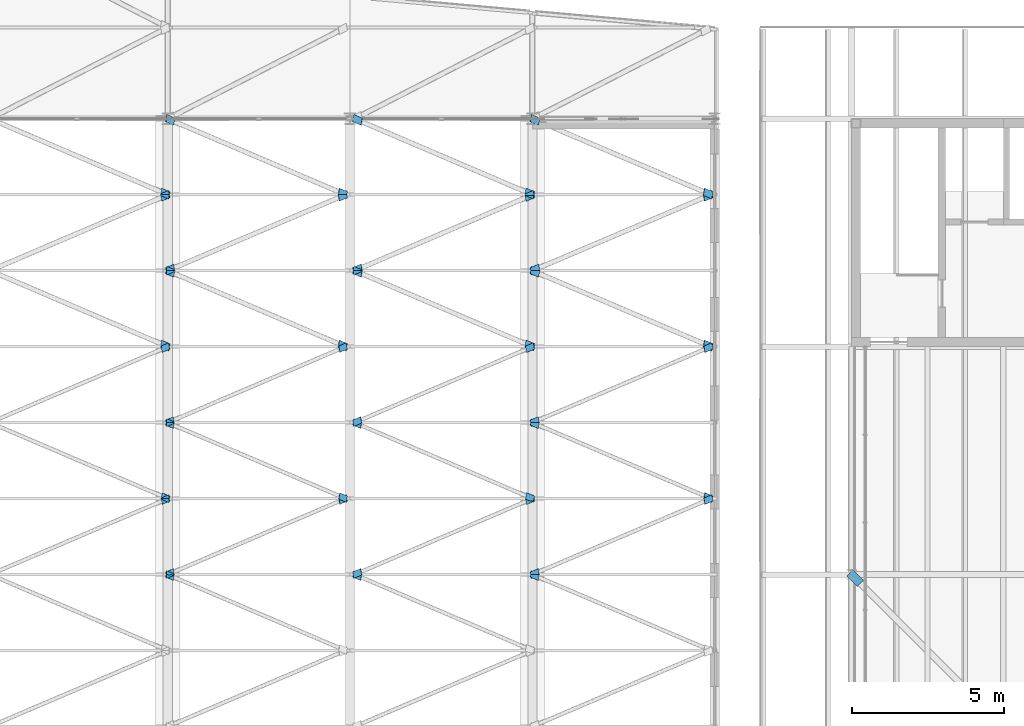
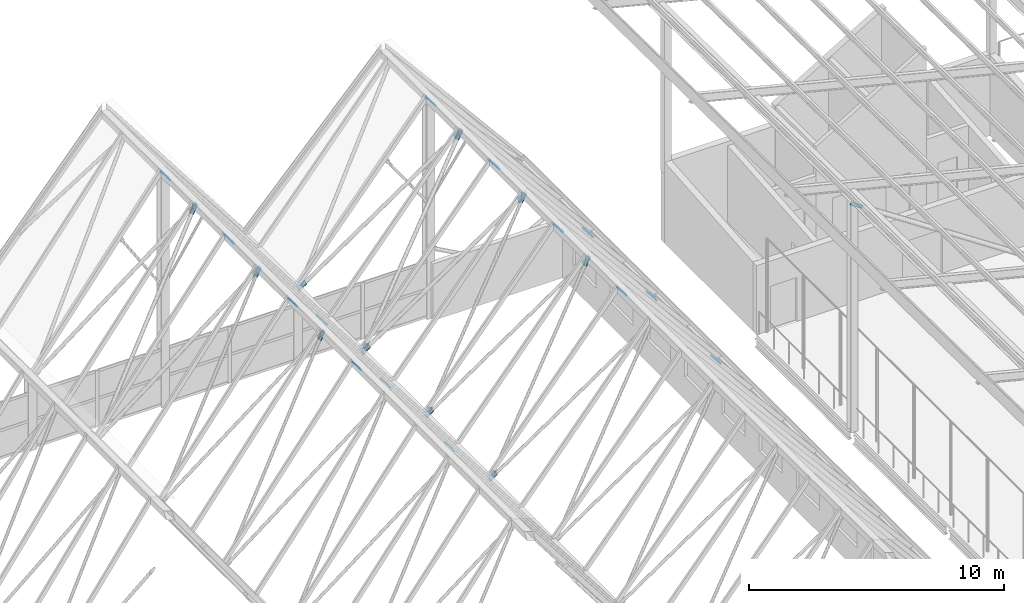
# One storey, part 432 of 483: 46 discrete accessories.
"""IFC4 building model written with IfcOpenShell, lengths in metres."""

from ifc_helpers import new_model, si_unit, direction, frame, origin, place, context, subcontext, project, spatial, polyline, outline, extrude, material, layer, layer_set, type_object, element, save


model = new_model("IFC4")

# Units and contexts
model_context = context("Model", 3, precision=1e-05, world=origin(), true_north=direction((0.0, 1.0)))
body_context = subcontext(model_context, "Body", "Model", "MODEL_VIEW")
ifc_project = project(units=[si_unit("LENGTHUNIT", "METRE"), si_unit("AREAUNIT", "SQUARE_METRE"), si_unit("VOLUMEUNIT", "CUBIC_METRE"), si_unit("PLANEANGLEUNIT", "RADIAN"), si_unit("MASSUNIT", "GRAM", prefix="KILO")], contexts=[model_context])

# Site, building, storey
site_placement = place(None, origin())
site = spatial("IfcSite", under=ifc_project, at=site_placement, CompositionType="ELEMENT")
building_placement = place(site_placement, origin())
building = spatial("IfcBuilding", under=site, at=building_placement, Name="Parallax Yard Mobility Hub", CompositionType="ELEMENT")
storey_placement = place(building_placement, frame((0.0, 0.0, 13.199951171875)))
storey = spatial("IfcBuildingStorey", under=building, at=storey_placement, Name="L04", CompositionType="ELEMENT", Elevation=13.199951171875)

# Discrete accessories
ifc_material = material(Name="Steel ASTM A36", Category="steel")
ifc_layer = layer(ifc_material, 0.011962890625)
ifc_layer_set = layer_set([ifc_layer], Name="Gusset plate PL12")
discrete_accessory_type = type_object("IfcDiscreteAccessoryType", Name="Gusset plate PL12", PredefinedType="BRACKET", material=ifc_layer_set)
discrete_accessory_1_placement = place(storey_placement, frame((75.216796875, 37.520751953125, 10.7568359375), z_axis=(0.793814652536, -8.9168627e-05, 0.608159756534), x_axis=(-0.588543803206, 0.251817654929, 0.768247395292)))
element("IfcDiscreteAccessory", 1, at=discrete_accessory_1_placement, inside=storey, type_object=discrete_accessory_type, Name="Gusset plate PL12 at end 2 of Plate diagonal plate F12-F13 bay 12", PredefinedType="BRACKET", context=body_context, shape_type="SweptSolid", body=[
    extrude(outline(polyline([(0.0, 0.0), (0.41979936098883397, -2.7755575615628914e-17), (0.4198409621977497, 0.21973808712240064), (4.1601208915741095e-05, 0.21973808712240064), (0.0, 0.0)])), origin(), (0.0, 0.0, -1.0), 0.011962890625),
])
discrete_accessory_2_placement = place(storey_placement, frame((81.381591796875, 37.51611328125, 3.6806640625), z_axis=(-0.766426841757, 0.000485063303, 0.642331426094), x_axis=(-0.619317240789, 0.264724925871, -0.739166333706)))
element("IfcDiscreteAccessory", 2, at=discrete_accessory_2_placement, inside=storey, type_object=discrete_accessory_type, Name="Gusset plate PL12 at end 2 of Plate diagonal plate F13-F14 bay 12", PredefinedType="BRACKET", context=body_context, shape_type="SweptSolid", body=[
    extrude(outline(polyline([(0.0, 0.0), (0.4196201041303643, 0.0), (0.41967912299094895, 0.2197701569995703), (2.9758828134156257e-05, 0.21976229757594196), (0.0, 0.0)])), origin(), (0.0, 0.0, -1.0), 0.011962890625),
])
discrete_accessory_3_placement = place(storey_placement, frame((87.22900390625, 37.516357421875, 10.112060546875), z_axis=(0.766560723471, 0.000412226513, 0.642171696123), x_axis=(-0.619460290951, 0.264070357105, 0.73928059249)))
element("IfcDiscreteAccessory", 3, at=discrete_accessory_3_placement, inside=storey, type_object=discrete_accessory_type, Name="Gusset plate PL12 at end 2 of Plate diagonal plate F14-F15 bay 12", PredefinedType="BRACKET", context=body_context, shape_type="SweptSolid", body=[
    extrude(outline(polyline([(0.0, 0.0), (0.41973603150491046, 0.0), (0.41954801679147935, 0.21991479661479002), (-0.00012354441140352557, 0.21967932216861122), (0.0, 0.0)])), origin(), (0.0, 0.0, -1.0), 0.011962890625),
])
for number, where, z_axis, x_axis, name in (
    (4, (74.81689453125, 39.80810546875, 10.80078125), (-0.793814652536, -8.9168627e-05, 0.608159756534), (0.588543803206, 0.251817654929, 0.768247395292), "Gusset plate PL12 at end 2 of Plate diagonal plate F11-F12 bay 13"),
    (5, (75.18310546875, 37.69189453125, 10.80078125), (0.793814652536, 8.9168627e-05, 0.608159756534), (-0.588543803206, -0.251817654929, 0.768247395292), "Gusset plate PL12 at end 1 of Plate diagonal plate F12-F13 bay 13"),
):
    element("IfcDiscreteAccessory", number, at=place(storey_placement, frame(where, z_axis=z_axis, x_axis=x_axis)), inside=storey, type_object=discrete_accessory_type, Name=name, PredefinedType="BRACKET", context=body_context, shape_type="SweptSolid", body=[
        extrude(outline(polyline([(0.0, 0.0), (0.41979936098883397, 2.7755575615628914e-17), (0.4197577597799182, 0.2197380871224007), (-4.1601208915741095e-05, 0.21973808712240064), (0.0, 0.0)])), origin(), (0.0, 0.0, -1.0), 0.011962890625),
    ])
discrete_accessory_4_placement = place(storey_placement, frame((80.664306640625, 39.80810546875, 3.6484375), z_axis=(0.793746279753, -0.000395732461, 0.60824886911), x_axis=(0.588740604162, 0.251731563359, -0.768124808231)))
element("IfcDiscreteAccessory", 6, at=discrete_accessory_4_placement, inside=storey, type_object=discrete_accessory_type, Name="Gusset plate PL12 at end 2 of Plate diagonal plate F12-F13 bay 13", PredefinedType="BRACKET", context=body_context, shape_type="SweptSolid", body=[
    extrude(outline(polyline([(0.0, 0.0), (0.4199430836483414, 0.0), (0.4198819319954805, 0.21973806118904854), (8.258384620210557e-05, 0.21970075370203399), (0.0, 0.0)])), origin(), (0.0, 0.0, -1.0), 0.011962890625),
])
discrete_accessory_5_placement = place(storey_placement, frame((81.343994140625, 37.69580078125, 3.63623046875), z_axis=(-0.766426841757, -0.000485063303, 0.642331426094), x_axis=(-0.619320432019, -0.264706865438, -0.739170127828)))
element("IfcDiscreteAccessory", 7, at=discrete_accessory_5_placement, inside=storey, type_object=discrete_accessory_type, Name="Gusset plate PL12 at end 1 of Plate diagonal plate F13-F14 bay 13", PredefinedType="BRACKET", context=body_context, shape_type="SweptSolid", body=[
    extrude(outline(polyline([(0.0, 0.0), (0.41964936423641264, 0.0), (0.4195862293997118, 0.2197701558556896), (-3.38746570599166e-05, 0.21976229698006056), (0.0, 0.0)])), origin(), (0.0, 0.0, -1.0), 0.011962890625),
])
discrete_accessory_6_placement = place(storey_placement, frame((86.808349609375, 39.80419921875, 10.15673828125), z_axis=(-0.766747811527, 0.000630720842, 0.641948125403), x_axis=(0.619177335166, 0.264706510349, 0.739290126402)))
element("IfcDiscreteAccessory", 8, at=discrete_accessory_6_placement, inside=storey, type_object=discrete_accessory_type, Name="Gusset plate PL12 at end 2 of Plate diagonal plate F13-F14 bay 13", PredefinedType="BRACKET", context=body_context, shape_type="SweptSolid", body=[
    extrude(outline(polyline([(0.0, 0.0), (0.41964938903380067, 0.0), (0.41973732919648377, 0.21972883072808136), (-6.32261789101779e-05, 0.21977020317984158), (0.0, 0.0)])), origin(), (0.0, 0.0, -1.0), 0.011962890625),
])
discrete_accessory_7_placement = place(storey_placement, frame((87.19189453125, 37.695556640625, 10.156494140625), z_axis=(0.766560723471, -0.000412226513, 0.642171696123), x_axis=(-0.619555171614, -0.263529140311, 0.739394199013)))
element("IfcDiscreteAccessory", 9, at=discrete_accessory_7_placement, inside=storey, type_object=discrete_accessory_type, Name="Gusset plate PL12 at end 1 of Plate diagonal plate F14-F15 bay 13", PredefinedType="BRACKET", context=body_context, shape_type="SweptSolid", body=[
    extrude(outline(polyline([(0.0, 0.0), (0.41967162726431706, 0.0), (0.41973624948705845, 0.21991486749109354), (2.840537202744575e-07, 0.21967935690820234), (0.0, 0.0)])), origin(), (0.0, 0.0, -1.0), 0.011962890625),
])
discrete_accessory_8_placement = place(storey_placement, frame((92.68115234375, 39.804443359375, 3.60595703125), z_axis=(0.766350564195, -6.0395944e-05, 0.642422609433), x_axis=(0.619726092025, 0.263529133346, -0.739250949774)))
element("IfcDiscreteAccessory", 10, at=discrete_accessory_8_placement, inside=storey, type_object=discrete_accessory_type, Name="Gusset plate PL12 at end 2 of Plate diagonal plate F14-F15 bay 13", PredefinedType="BRACKET", context=body_context, shape_type="SweptSolid", body=[
    extrude(outline(polyline([(0.0, 0.0), (0.41967161683953713, 0.0), (0.4197362599134438, 0.21991484759097396), (-0.0001509954088498508, 0.2197206583795808), (0.0, 0.0)])), origin(), (0.0, 0.0, -1.0), 0.011962890625),
])
discrete_accessory_9_placement = place(storey_placement, frame((74.783203125, 39.979248046875, 10.7568359375), z_axis=(-0.793814652536, 8.9168627e-05, 0.608159756534), x_axis=(0.588543803206, -0.251817654929, 0.768247395292)))
element("IfcDiscreteAccessory", 11, at=discrete_accessory_9_placement, inside=storey, type_object=discrete_accessory_type, Name="Gusset plate PL12 at end 1 of Plate diagonal plate F11-F12 bay 14", PredefinedType="BRACKET", context=body_context, shape_type="SweptSolid", body=[
    extrude(outline(polyline([(0.0, 0.0), (0.41979936098883397, -2.7755575615628914e-17), (0.4198409621977497, 0.21973808712240064), (4.1601208915741095e-05, 0.21973808712240064), (0.0, 0.0)])), origin(), (0.0, 0.0, -1.0), 0.011962890625),
])
discrete_accessory_10_placement = place(storey_placement, frame((80.630859375, 39.979248046875, 3.6923828125), z_axis=(0.793746279753, 0.000395732461, 0.60824886911), x_axis=(0.588727021511, -0.251817570299, -0.768107027328)))
element("IfcDiscreteAccessory", 12, at=discrete_accessory_10_placement, inside=storey, type_object=discrete_accessory_type, Name="Gusset plate PL12 at end 1 of Plate diagonal plate F12-F13 bay 14", PredefinedType="BRACKET", context=body_context, shape_type="SweptSolid", body=[
    extrude(outline(polyline([(0.0, 0.0), (0.41979934980703304, -4.163336342344337e-17), (0.41984097338065895, 0.2197380657558558), (-0.00010210860936022553, 0.21970074549524257), (0.0, 0.0)])), origin(), (0.0, 0.0, -1.0), 0.011962890625),
])
discrete_accessory_11_placement = place(storey_placement, frame((75.216796875, 42.520751953125, 10.7568359375), z_axis=(0.793814652536, -8.9168627e-05, 0.608159756534), x_axis=(-0.588543803206, 0.251817654929, 0.768247395292)))
element("IfcDiscreteAccessory", 13, at=discrete_accessory_11_placement, inside=storey, type_object=discrete_accessory_type, Name="Gusset plate PL12 at end 2 of Plate diagonal plate F12-F13 bay 14", PredefinedType="BRACKET", context=body_context, shape_type="SweptSolid", body=[
    extrude(outline(polyline([(0.0, 0.0), (0.41979936098883397, -2.7755575615628914e-17), (0.4198409621977497, 0.21973808712240064), (4.1601208915741095e-05, 0.21973808712240064), (0.0, 0.0)])), origin(), (0.0, 0.0, -1.0), 0.011962890625),
])
discrete_accessory_12_placement = place(storey_placement, frame((86.77099609375, 39.98388671875, 10.112060546875), z_axis=(-0.766747811527, -0.000630720842, 0.641948125403), x_axis=(0.619194033043, -0.264611471916, 0.739310163851)))
element("IfcDiscreteAccessory", 14, at=discrete_accessory_12_placement, inside=storey, type_object=discrete_accessory_type, Name="Gusset plate PL12 at end 1 of Plate diagonal plate F13-F14 bay 14", PredefinedType="BRACKET", context=body_context, shape_type="SweptSolid", body=[
    extrude(outline(polyline([(0.0, 0.0), (0.41980055741407596, 1.3877787807814457e-17), (0.4197342721074152, 0.21972883832774476), (8.488511156258538e-05, 0.21977019588146246), (0.0, 0.0)])), origin(), (0.0, 0.0, -1.0), 0.011962890625),
])
discrete_accessory_13_placement = place(storey_placement, frame((81.381591796875, 42.51611328125, 3.6806640625), z_axis=(-0.766426841757, 0.000485063303, 0.642331426094), x_axis=(-0.619317240789, 0.264724925871, -0.739166333706)))
element("IfcDiscreteAccessory", 15, at=discrete_accessory_13_placement, inside=storey, type_object=discrete_accessory_type, Name="Gusset plate PL12 at end 2 of Plate diagonal plate F13-F14 bay 14", PredefinedType="BRACKET", context=body_context, shape_type="SweptSolid", body=[
    extrude(outline(polyline([(0.0, 0.0), (0.4196201041303643, 0.0), (0.41967912299094895, 0.2197701569995703), (2.9758828134156257e-05, 0.21976229757594196), (0.0, 0.0)])), origin(), (0.0, 0.0, -1.0), 0.011962890625),
])
discrete_accessory_14_placement = place(storey_placement, frame((92.643798828125, 39.983642578125, 3.650390625), z_axis=(0.766350564195, 6.0395944e-05, 0.642422609433), x_axis=(0.619647749995, -0.263975236545, -0.739157453062)))
element("IfcDiscreteAccessory", 16, at=discrete_accessory_14_placement, inside=storey, type_object=discrete_accessory_type, Name="Gusset plate PL12 at end 1 of Plate diagonal plate F14-F15 bay 14", PredefinedType="BRACKET", context=body_context, shape_type="SweptSolid", body=[
    extrude(outline(polyline([(0.0, 0.0), (0.4198873002265475, 0.0), (0.41972095108079355, 0.2199147941764037), (4.937912244436238e-05, 0.21972070471412608), (0.0, 0.0)])), origin(), (0.0, 0.0, -1.0), 0.011962890625),
])
discrete_accessory_15_placement = place(storey_placement, frame((87.22900390625, 42.516357421875, 10.112060546875), z_axis=(0.766560723471, 0.000412226513, 0.642171696123), x_axis=(-0.619460290951, 0.264070357105, 0.73928059249)))
element("IfcDiscreteAccessory", 17, at=discrete_accessory_15_placement, inside=storey, type_object=discrete_accessory_type, Name="Gusset plate PL12 at end 2 of Plate diagonal plate F14-F15 bay 14", PredefinedType="BRACKET", context=body_context, shape_type="SweptSolid", body=[
    extrude(outline(polyline([(0.0, 0.0), (0.41973603150491046, 0.0), (0.41954801679147935, 0.21991479661479002), (-0.00012354441140352557, 0.21967932216861122), (0.0, 0.0)])), origin(), (0.0, 0.0, -1.0), 0.011962890625),
])
for number, where, z_axis, x_axis, name in (
    (18, (74.81689453125, 44.80810546875, 10.80078125), (-0.793814652536, -8.9168627e-05, 0.608159756534), (0.588543803206, 0.251817654929, 0.768247395292), "Gusset plate PL12 at end 2 of Plate diagonal plate F11-F12 bay 15"),
    (19, (75.18310546875, 42.69189453125, 10.80078125), (0.793814652536, 8.9168627e-05, 0.608159756534), (-0.588543803206, -0.251817654929, 0.768247395292), "Gusset plate PL12 at end 1 of Plate diagonal plate F12-F13 bay 15"),
):
    element("IfcDiscreteAccessory", number, at=place(storey_placement, frame(where, z_axis=z_axis, x_axis=x_axis)), inside=storey, type_object=discrete_accessory_type, Name=name, PredefinedType="BRACKET", context=body_context, shape_type="SweptSolid", body=[
        extrude(outline(polyline([(0.0, 0.0), (0.41979936098883397, 2.7755575615628914e-17), (0.4197577597799182, 0.2197380871224007), (-4.1601208915741095e-05, 0.21973808712240064), (0.0, 0.0)])), origin(), (0.0, 0.0, -1.0), 0.011962890625),
    ])
discrete_accessory_16_placement = place(storey_placement, frame((80.664306640625, 44.80810546875, 3.6484375), z_axis=(0.793746279753, -0.000395732461, 0.60824886911), x_axis=(0.588740604162, 0.251731563359, -0.768124808231)))
element("IfcDiscreteAccessory", 20, at=discrete_accessory_16_placement, inside=storey, type_object=discrete_accessory_type, Name="Gusset plate PL12 at end 2 of Plate diagonal plate F12-F13 bay 15", PredefinedType="BRACKET", context=body_context, shape_type="SweptSolid", body=[
    extrude(outline(polyline([(0.0, 0.0), (0.4199430836483414, 0.0), (0.4198819319954805, 0.21973806118904854), (8.258384620210557e-05, 0.21970075370203399), (0.0, 0.0)])), origin(), (0.0, 0.0, -1.0), 0.011962890625),
])
discrete_accessory_17_placement = place(storey_placement, frame((81.343994140625, 42.69580078125, 3.63623046875), z_axis=(-0.766426841757, -0.000485063303, 0.642331426094), x_axis=(-0.619320432019, -0.264706865438, -0.739170127828)))
element("IfcDiscreteAccessory", 21, at=discrete_accessory_17_placement, inside=storey, type_object=discrete_accessory_type, Name="Gusset plate PL12 at end 1 of Plate diagonal plate F13-F14 bay 15", PredefinedType="BRACKET", context=body_context, shape_type="SweptSolid", body=[
    extrude(outline(polyline([(0.0, 0.0), (0.41964936423641264, 0.0), (0.4195862293997118, 0.2197701558556896), (-3.38746570599166e-05, 0.21976229698006056), (0.0, 0.0)])), origin(), (0.0, 0.0, -1.0), 0.011962890625),
])
discrete_accessory_18_placement = place(storey_placement, frame((86.808349609375, 44.80419921875, 10.15673828125), z_axis=(-0.766747811527, 0.000630720842, 0.641948125403), x_axis=(0.619177335166, 0.264706510349, 0.739290126402)))
element("IfcDiscreteAccessory", 22, at=discrete_accessory_18_placement, inside=storey, type_object=discrete_accessory_type, Name="Gusset plate PL12 at end 2 of Plate diagonal plate F13-F14 bay 15", PredefinedType="BRACKET", context=body_context, shape_type="SweptSolid", body=[
    extrude(outline(polyline([(0.0, 0.0), (0.41964938903380067, 0.0), (0.41973732919648377, 0.21972883072808136), (-6.32261789101779e-05, 0.21977020317984158), (0.0, 0.0)])), origin(), (0.0, 0.0, -1.0), 0.011962890625),
])
discrete_accessory_19_placement = place(storey_placement, frame((87.19189453125, 42.695556640625, 10.156494140625), z_axis=(0.766560723471, -0.000412226513, 0.642171696123), x_axis=(-0.619555171614, -0.263529140311, 0.739394199013)))
element("IfcDiscreteAccessory", 23, at=discrete_accessory_19_placement, inside=storey, type_object=discrete_accessory_type, Name="Gusset plate PL12 at end 1 of Plate diagonal plate F14-F15 bay 15", PredefinedType="BRACKET", context=body_context, shape_type="SweptSolid", body=[
    extrude(outline(polyline([(0.0, 0.0), (0.41967162726431706, 0.0), (0.41973624948705845, 0.21991486749109354), (2.840537202744575e-07, 0.21967935690820234), (0.0, 0.0)])), origin(), (0.0, 0.0, -1.0), 0.011962890625),
])
discrete_accessory_20_placement = place(storey_placement, frame((92.68115234375, 44.804443359375, 3.60595703125), z_axis=(0.766350564195, -6.0395944e-05, 0.642422609433), x_axis=(0.619726092025, 0.263529133346, -0.739250949774)))
element("IfcDiscreteAccessory", 24, at=discrete_accessory_20_placement, inside=storey, type_object=discrete_accessory_type, Name="Gusset plate PL12 at end 2 of Plate diagonal plate F14-F15 bay 15", PredefinedType="BRACKET", context=body_context, shape_type="SweptSolid", body=[
    extrude(outline(polyline([(0.0, 0.0), (0.41967161683953713, 0.0), (0.4197362599134438, 0.21991484759097396), (-0.0001509954088498508, 0.2197206583795808), (0.0, 0.0)])), origin(), (0.0, 0.0, -1.0), 0.011962890625),
])
discrete_accessory_21_placement = place(storey_placement, frame((74.76416015625, 44.972412109375, 10.732177734375), z_axis=(-0.793757608826, 0.000360064242, 0.60823410689), x_axis=(0.58860275076, -0.251558252406, 0.768287216765)))
element("IfcDiscreteAccessory", 25, at=discrete_accessory_21_placement, inside=storey, type_object=discrete_accessory_type, Name="Gusset plate PL12 at end 1 of Plate diagonal plate F11-F12 bay 16", PredefinedType="BRACKET", context=body_context, shape_type="SweptSolid", body=[
    extrude(outline(polyline([(0.0, 0.0), (0.44837713599566964, 0.0), (0.44837700306149436, 0.24846871617768845), (-1.3293417525095386e-07, 0.24846871617768843), (0.0, 0.0)])), origin(), (0.0, 0.0, -1.0), 0.011962890625),
])
discrete_accessory_22_placement = place(storey_placement, frame((80.61181640625, 44.972412109375, 3.717041015625), z_axis=(0.793562548739, -0.000276717844, 0.608488623284), x_axis=(0.588849048877, -0.251663515801, -0.768063976796)))
element("IfcDiscreteAccessory", 26, at=discrete_accessory_22_placement, inside=storey, type_object=discrete_accessory_type, Name="Gusset plate PL12 at end 1 of Plate diagonal plate F12-F13 bay 16", PredefinedType="BRACKET", context=body_context, shape_type="SweptSolid", body=[
    extrude(outline(polyline([(0.0, 0.0), (0.44818959311966156, 1.3877787807814457e-17), (0.4481624632002684, 0.24846871469658677), (-2.7129919393138746e-05, 0.24846871469658674), (0.0, 0.0)])), origin(), (0.0, 0.0, -1.0), 0.011962890625),
])
discrete_accessory_23_placement = place(storey_placement, frame((75.23583984375, 47.527587890625, 10.732177734375), z_axis=(0.793757608826, -0.000360064242, 0.60823410689), x_axis=(-0.58860275076, 0.251558252406, 0.768287216765)))
element("IfcDiscreteAccessory", 27, at=discrete_accessory_23_placement, inside=storey, type_object=discrete_accessory_type, Name="Gusset plate PL12 at end 2 of Plate diagonal plate F12-F13 bay 16", PredefinedType="BRACKET", context=body_context, shape_type="SweptSolid", body=[
    extrude(outline(polyline([(0.0, 0.0), (0.44837713599566964, 0.0), (0.44837700306149436, 0.24846871617768845), (-1.3293417525095386e-07, 0.24846871617768843), (0.0, 0.0)])), origin(), (0.0, 0.0, -1.0), 0.011962890625),
])
discrete_accessory_24_placement = place(storey_placement, frame((86.750732421875, 44.977783203125, 10.088134765625), z_axis=(-0.766423126703, 0.000338641757, 0.642335952736), x_axis=(0.619351298073, -0.264724820984, 0.739137834731)))
element("IfcDiscreteAccessory", 28, at=discrete_accessory_24_placement, inside=storey, type_object=discrete_accessory_type, Name="Gusset plate PL12 at end 1 of Plate diagonal plate F13-F14 bay 16", PredefinedType="BRACKET", context=body_context, shape_type="SweptSolid", body=[
    extrude(outline(polyline([(0.0, 0.0), (0.448210139315597, 0.0), (0.4485368807925598, 0.24819908037862726), (-6.955099222361733e-05, 0.2483434529071056), (0.0, 0.0)])), origin(), (0.0, 0.0, -1.0), 0.011962890625),
])
discrete_accessory_25_placement = place(storey_placement, frame((81.401611328125, 47.522216796875, 3.704833984375), z_axis=(-0.766561934344, -0.000320283639, 0.642170303138), x_axis=(-0.619325258726, 0.264724809384, -0.739159657449)))
element("IfcDiscreteAccessory", 29, at=discrete_accessory_25_placement, inside=storey, type_object=discrete_accessory_type, Name="Gusset plate PL12 at end 2 of Plate diagonal plate F13-F14 bay 16", PredefinedType="BRACKET", context=body_context, shape_type="SweptSolid", body=[
    extrude(outline(polyline([(0.0, 0.0), (0.4482101395729484, 0.0), (0.44838567806295226, 0.2481575645955318), (0.0001109084095877802, 0.24839299524639621), (0.0, 0.0)])), origin(), (0.0, 0.0, -1.0), 0.011962890625),
])
discrete_accessory_26_placement = place(storey_placement, frame((92.623779296875, 44.977294921875, 3.674560546875), z_axis=(0.766378615335, 0.000197596238, 0.642389117991), x_axis=(0.619723777212, -0.263516170987, -0.739257511011)))
element("IfcDiscreteAccessory", 30, at=discrete_accessory_26_placement, inside=storey, type_object=discrete_accessory_type, Name="Gusset plate PL12 at end 1 of Plate diagonal plate F14-F15 bay 16", PredefinedType="BRACKET", context=body_context, shape_type="SweptSolid", body=[
    extrude(outline(polyline([(0.0, 0.0), (0.4484128870063827, -2.7755575615628914e-17), (0.44832277853457225, 0.2482526944258702), (9.037431896376236e-05, 0.24830202929240497), (0.0, 0.0)])), origin(), (0.0, 0.0, -1.0), 0.011962890625),
])
discrete_accessory_27_placement = place(storey_placement, frame((87.249267578125, 47.522705078125, 10.088134765625), z_axis=(0.766323593675, 0.0005483988, 0.642454550171), x_axis=(-0.619839223364, 0.263622305895, 0.739122870039)))
element("IfcDiscreteAccessory", 31, at=discrete_accessory_27_placement, inside=storey, type_object=discrete_accessory_type, Name="Gusset plate PL12 at end 2 of Plate diagonal plate F14-F15 bay 16", PredefinedType="BRACKET", context=body_context, shape_type="SweptSolid", body=[
    extrude(outline(polyline([(0.0, 0.0), (0.4482324137899927, 0.0), (0.44829544493355644, 0.24830205012139606), (6.303114356377704e-05, 0.24830205012139606), (0.0, 0.0)])), origin(), (0.0, 0.0, -1.0), 0.011962890625),
])
for number, where, z_axis, x_axis, name in (
    (32, (74.80224609375, 49.787109375, 10.78173828125), (-0.793757608826, -0.000360064242, 0.60823410689), (0.58860275076, 0.251558252406, 0.768287216765), "Gusset plate PL12 at end 2 of Plate diagonal plate F11-F12 bay 17"),
    (33, (75.19775390625, 47.712890625, 10.78173828125), (0.793757608826, 0.000360064242, 0.60823410689), (-0.58860275076, -0.251558252406, 0.768287216765), "Gusset plate PL12 at end 1 of Plate diagonal plate F12-F13 bay 17"),
):
    element("IfcDiscreteAccessory", number, at=place(storey_placement, frame(where, z_axis=z_axis, x_axis=x_axis)), inside=storey, type_object=discrete_accessory_type, Name=name, PredefinedType="BRACKET", context=body_context, shape_type="SweptSolid", body=[
        extrude(outline(polyline([(0.0, 0.0), (0.44837713599566964, 0.0), (0.44837726892984486, 0.24846871617768845), (1.3293417525095386e-07, 0.24846871617768843), (0.0, 0.0)])), origin(), (0.0, 0.0, -1.0), 0.011962890625),
    ])
discrete_accessory_28_placement = place(storey_placement, frame((80.64990234375, 49.787109375, 3.66748046875), z_axis=(0.793562548739, 0.000276717844, 0.608488623284), x_axis=(0.588849048877, 0.251663515801, -0.768063976796)))
element("IfcDiscreteAccessory", 34, at=discrete_accessory_28_placement, inside=storey, type_object=discrete_accessory_type, Name="Gusset plate PL12 at end 2 of Plate diagonal plate F12-F13 bay 17", PredefinedType="BRACKET", context=body_context, shape_type="SweptSolid", body=[
    extrude(outline(polyline([(0.0, 0.0), (0.44818959311966156, -1.3877787807814457e-17), (0.44821672303905474, 0.2484687146965867), (2.7129919393138746e-05, 0.24846871469658674), (0.0, 0.0)])), origin(), (0.0, 0.0, -1.0), 0.011962890625),
])
discrete_accessory_29_placement = place(storey_placement, frame((81.359375, 47.71728515625, 3.654296875), z_axis=(-0.766561934344, 0.000320283639, 0.642170303138), x_axis=(-0.619236015729, -0.265231228733, -0.739052875056)))
element("IfcDiscreteAccessory", 35, at=discrete_accessory_29_placement, inside=storey, type_object=discrete_accessory_type, Name="Gusset plate PL12 at end 1 of Plate diagonal plate F13-F14 bay 17", PredefinedType="BRACKET", context=body_context, shape_type="SweptSolid", body=[
    extrude(outline(polyline([(0.0, 0.0), (0.4482748314765935, 1.3877787807814457e-17), (0.4482296235420875, 0.24815762256273663), (1.954578344626895e-05, 0.24839301923788817), (0.0, 0.0)])), origin(), (0.0, 0.0, -1.0), 0.011962890625),
])
discrete_accessory_30_placement = place(storey_placement, frame((86.79296875, 49.78271484375, 10.138427734375), z_axis=(-0.766423126703, -0.000338641757, 0.642335952736), x_axis=(0.619296461685, 0.265035150302, 0.739072568595)))
element("IfcDiscreteAccessory", 36, at=discrete_accessory_30_placement, inside=storey, type_object=discrete_accessory_type, Name="Gusset plate PL12 at end 2 of Plate diagonal plate F13-F14 bay 17", PredefinedType="BRACKET", context=body_context, shape_type="SweptSolid", body=[
    extrude(outline(polyline([(0.0, 0.0), (0.44860645501608926, -1.3877787807814457e-17), (0.448359590090144, 0.248199172678914), (0.00014947398532942635, 0.2483434176633075), (0.0, 0.0)])), origin(), (0.0, 0.0, -1.0), 0.011962890625),
])
discrete_accessory_31_placement = place(storey_placement, frame((87.207275390625, 47.716796875, 10.138427734375), z_axis=(0.766323593675, -0.0005483988, 0.642454550171), x_axis=(-0.619839223364, -0.263622305895, 0.739122870039)))
element("IfcDiscreteAccessory", 37, at=discrete_accessory_31_placement, inside=storey, type_object=discrete_accessory_type, Name="Gusset plate PL12 at end 1 of Plate diagonal plate F14-F15 bay 17", PredefinedType="BRACKET", context=body_context, shape_type="SweptSolid", body=[
    extrude(outline(polyline([(0.0, 0.0), (0.4482324137899927, 0.0), (0.4481693826464289, 0.24830205012139606), (-6.303114356377704e-05, 0.24830205012139606), (0.0, 0.0)])), origin(), (0.0, 0.0, -1.0), 0.011962890625),
])
discrete_accessory_32_placement = place(storey_placement, frame((92.665771484375, 49.783203125, 3.624267578125), z_axis=(0.766378615335, -0.000197596238, 0.642389117991), x_axis=(0.619705157679, 0.263622344498, -0.739235265006)))
element("IfcDiscreteAccessory", 38, at=discrete_accessory_32_placement, inside=storey, type_object=discrete_accessory_type, Name="Gusset plate PL12 at end 2 of Plate diagonal plate F14-F15 bay 17", PredefinedType="BRACKET", context=body_context, shape_type="SweptSolid", body=[
    extrude(outline(polyline([(0.0, 0.0), (0.4482324069306387, -1.3877787807814457e-17), (0.4483498394270229, 0.2482526830043332), (-6.30448632363001e-05, 0.24830203773547466), (0.0, 0.0)])), origin(), (0.0, 0.0, -1.0), 0.011962890625),
])
discrete_accessory_33_placement = place(storey_placement, frame((74.76416015625, 49.972412109375, 10.732177734375), z_axis=(-0.793757608826, 0.000360064242, 0.60823410689), x_axis=(0.58860275076, -0.251558252406, 0.768287216765)))
element("IfcDiscreteAccessory", 39, at=discrete_accessory_33_placement, inside=storey, type_object=discrete_accessory_type, Name="Gusset plate PL12 at end 1 of Plate diagonal plate F11-F12 bay 18", PredefinedType="BRACKET", context=body_context, shape_type="SweptSolid", body=[
    extrude(outline(polyline([(0.0, 0.0), (0.44837713599566964, 0.0), (0.44837700306149436, 0.24846871617768845), (-1.3293417525095386e-07, 0.24846871617768843), (0.0, 0.0)])), origin(), (0.0, 0.0, -1.0), 0.011962890625),
])
discrete_accessory_34_placement = place(storey_placement, frame((80.61181640625, 49.972412109375, 3.717041015625), z_axis=(0.793562548739, -0.000276717844, 0.608488623284), x_axis=(0.588849048877, -0.251663515801, -0.768063976796)))
element("IfcDiscreteAccessory", 40, at=discrete_accessory_34_placement, inside=storey, type_object=discrete_accessory_type, Name="Gusset plate PL12 at end 1 of Plate diagonal plate F12-F13 bay 18", PredefinedType="BRACKET", context=body_context, shape_type="SweptSolid", body=[
    extrude(outline(polyline([(0.0, 0.0), (0.44818959311966156, 1.3877787807814457e-17), (0.4481624632002684, 0.24846871469658677), (-2.7129919393138746e-05, 0.24846871469658674), (0.0, 0.0)])), origin(), (0.0, 0.0, -1.0), 0.011962890625),
])
discrete_accessory_35_placement = place(storey_placement, frame((75.23583984375, 52.527587890625, 10.732177734375), z_axis=(0.793757608826, -0.000360064242, 0.60823410689), x_axis=(-0.58860275076, 0.251558252406, 0.768287216765)))
element("IfcDiscreteAccessory", 41, at=discrete_accessory_35_placement, inside=storey, type_object=discrete_accessory_type, Name="Gusset plate PL12 at end 2 of Plate diagonal plate F12-F13 bay 18", PredefinedType="BRACKET", context=body_context, shape_type="SweptSolid", body=[
    extrude(outline(polyline([(0.0, 0.0), (0.44837713599566964, 0.0), (0.44837700306149436, 0.24846871617768845), (-1.3293417525095386e-07, 0.24846871617768843), (0.0, 0.0)])), origin(), (0.0, 0.0, -1.0), 0.011962890625),
])
discrete_accessory_36_placement = place(storey_placement, frame((86.750732421875, 49.977783203125, 10.088134765625), z_axis=(-0.766423126703, 0.000338641757, 0.642335952736), x_axis=(0.619351298073, -0.264724820984, 0.739137834731)))
element("IfcDiscreteAccessory", 42, at=discrete_accessory_36_placement, inside=storey, type_object=discrete_accessory_type, Name="Gusset plate PL12 at end 1 of Plate diagonal plate F13-F14 bay 18", PredefinedType="BRACKET", context=body_context, shape_type="SweptSolid", body=[
    extrude(outline(polyline([(0.0, 0.0), (0.448210139315597, 0.0), (0.4485368807925598, 0.24819908037862726), (-6.955099222361733e-05, 0.2483434529071056), (0.0, 0.0)])), origin(), (0.0, 0.0, -1.0), 0.011962890625),
])
discrete_accessory_37_placement = place(storey_placement, frame((81.401611328125, 52.522216796875, 3.704833984375), z_axis=(-0.766561934344, -0.000320283639, 0.642170303138), x_axis=(-0.619325258726, 0.264724809384, -0.739159657449)))
element("IfcDiscreteAccessory", 43, at=discrete_accessory_37_placement, inside=storey, type_object=discrete_accessory_type, Name="Gusset plate PL12 at end 2 of Plate diagonal plate F13-F14 bay 18", PredefinedType="BRACKET", context=body_context, shape_type="SweptSolid", body=[
    extrude(outline(polyline([(0.0, 0.0), (0.4482101395729484, 0.0), (0.44838567806295226, 0.2481575645955318), (0.0001109084095877802, 0.24839299524639621), (0.0, 0.0)])), origin(), (0.0, 0.0, -1.0), 0.011962890625),
])
discrete_accessory_38_placement = place(storey_placement, frame((92.623779296875, 49.977294921875, 3.674560546875), z_axis=(0.766378615335, 0.000197596238, 0.642389117991), x_axis=(0.619723777212, -0.263516170987, -0.739257511011)))
element("IfcDiscreteAccessory", 44, at=discrete_accessory_38_placement, inside=storey, type_object=discrete_accessory_type, Name="Gusset plate PL12 at end 1 of Plate diagonal plate F14-F15 bay 18", PredefinedType="BRACKET", context=body_context, shape_type="SweptSolid", body=[
    extrude(outline(polyline([(0.0, 0.0), (0.4484128870063827, -2.7755575615628914e-17), (0.44832277853457225, 0.2482526944258702), (9.037431896376236e-05, 0.24830202929240497), (0.0, 0.0)])), origin(), (0.0, 0.0, -1.0), 0.011962890625),
])
discrete_accessory_39_placement = place(storey_placement, frame((87.249267578125, 52.522705078125, 10.088134765625), z_axis=(0.766323593675, 0.0005483988, 0.642454550171), x_axis=(-0.619839223364, 0.263622305895, 0.739122870039)))
element("IfcDiscreteAccessory", 45, at=discrete_accessory_39_placement, inside=storey, type_object=discrete_accessory_type, Name="Gusset plate PL12 at end 2 of Plate diagonal plate F14-F15 bay 18", PredefinedType="BRACKET", context=body_context, shape_type="SweptSolid", body=[
    extrude(outline(polyline([(0.0, 0.0), (0.4482324137899927, 0.0), (0.44829544493355644, 0.24830205012139606), (6.303114356377704e-05, 0.24830205012139606), (0.0, 0.0)])), origin(), (0.0, 0.0, -1.0), 0.011962890625),
])
discrete_accessory_40_placement = place(storey_placement, frame((97.89306640625, 37.31494140625, 10.714111328125), z_axis=(0.242265477454, 0.009507928911, 0.970163407742), x_axis=(-0.696916425182, 0.697389978354, 0.167196633949)))
element("IfcDiscreteAccessory", 46, at=discrete_accessory_40_placement, inside=storey, type_object=discrete_accessory_type, Name="Gusset plate PL12 at end 2 of Roof X brace west wing bay 2 2 (half 2)", PredefinedType="BRACKET", context=body_context, shape_type="SweptSolid", body=[
    extrude(outline(polyline([(0.0, 0.0), (0.4992102694889562, -7.979727989493313e-17), (0.4990372638619173, 0.29928837476538206), (-0.00017289001347155566, 0.29894862346398243), (0.0, 0.0)])), origin(), (0.0, 0.0, -1.0), 0.011962890625),
])

save(model, "model.ifc")
